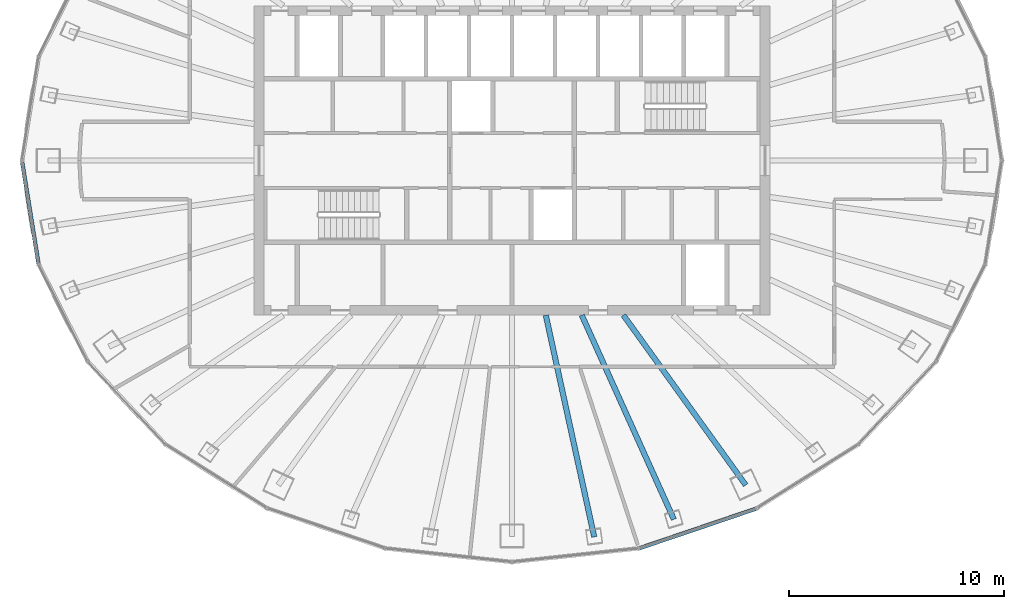
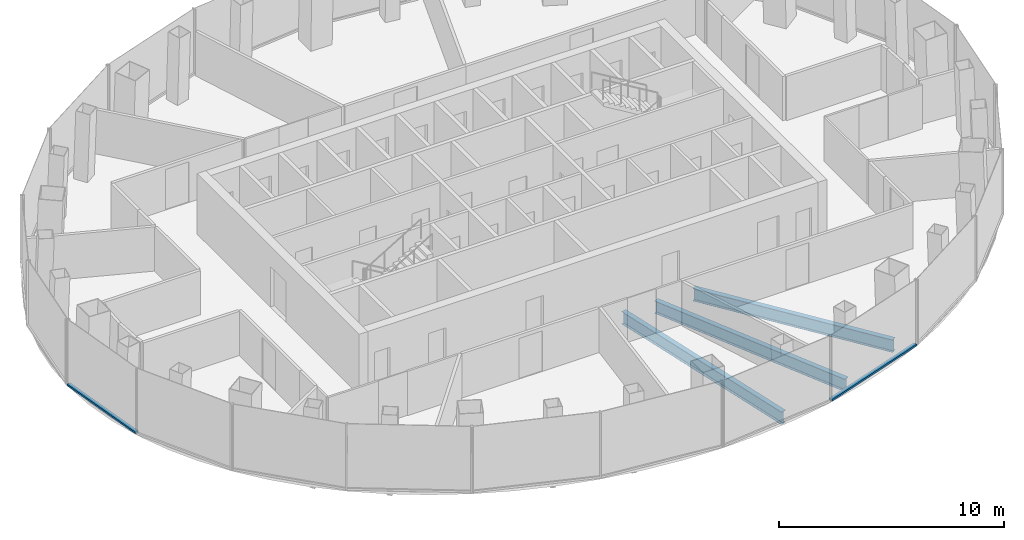
# One storey, part 3 of 11: 3 beams, 2 members, 2 elements without a shape of their own.
"""IFC4 building model written with IfcOpenShell, lengths in metres."""

from ifc_helpers import new_model, si_unit, direction, frame, origin, origin_2d, place, context, subcontext, project, spatial, rectangle, i_section, extrude, material, layer, layer_set, material_profile, profile_set, type_object, element, aggregate, save


model = new_model("IFC4")

# Units and contexts
model_context = context("Model", 3, precision=1e-05, world=origin(), true_north=direction((0.0, 1.0)))
body_context = subcontext(model_context, "Body", "Model", "MODEL_VIEW")
ifc_project = project(units=[si_unit("LENGTHUNIT", "METRE"), si_unit("AREAUNIT", "SQUARE_METRE"), si_unit("VOLUMEUNIT", "CUBIC_METRE"), si_unit("PLANEANGLEUNIT", "RADIAN"), si_unit("MASSUNIT", "GRAM", prefix="KILO")], contexts=[model_context])

# Site, building, storey
site_placement = place(None, origin())
site = spatial("IfcSite", under=ifc_project, at=site_placement, CompositionType="ELEMENT")
building_placement = place(site_placement, origin())
building = spatial("IfcBuilding", under=site, at=building_placement, Name="Siaravel Broadcast Tower", CompositionType="ELEMENT")
storey_placement = place(building_placement, frame((0.0, 0.0, 197.800048828125)))
storey = spatial("IfcBuildingStorey", under=building, at=storey_placement, Name="L48", CompositionType="ELEMENT", Elevation=197.800048828125)

# Beams
ifc_material_1 = material(Name="Steel S355", Category="steel")
ifc_material_profile_1 = material_profile(ifc_material_1, i_section(OverallWidth=0.2529296875, OverallDepth=0.677978515625, WebThickness=0.01171875, FlangeThickness=0.01611328125, FilletRadius=0.01513671875, at=origin_2d()))
ifc_profile_set_1 = profile_set([ifc_material_profile_1], Name="Steel S355")
beam_type = type_object("IfcBeamType", Name="BM-UB 686x254x125", PredefinedType="BEAM", material=ifc_profile_set_1)
beam_1_placement = place(storey_placement, frame((3.826904296875, -17.5166015625, -0.489013671875), z_axis=(-0.213438313, 0.976956543, 0.0), x_axis=(-0.976956543, -0.213438313, 0.0)))
element("IfcBeam", 1, at=beam_1_placement, inside=storey, type_object=beam_type, Name="Radial beam RB29", PredefinedType="BEAM", context=body_context, shape_type="SweptSolid", body=[
    extrude(i_section(OverallWidth=0.2529296875, OverallDepth=0.677978515625, WebThickness=0.01171875, FlangeThickness=0.01611328125, FilletRadius=0.01513671875, at=origin_2d()), origin(), (0.0, 0.0, 1.0), 10.56005859375),
])
beam_2_placement = place(storey_placement, frame((7.533935546875, -16.702880859375, -0.489013671875), z_axis=(-0.411166898, 0.911560081, 0.0), x_axis=(-0.911560081, -0.411166898, 0.0)))
element("IfcBeam", 2, at=beam_2_placement, inside=storey, type_object=beam_type, Name="Radial beam RB30", PredefinedType="BEAM", context=body_context, shape_type="SweptSolid", body=[
    extrude(i_section(OverallWidth=0.2529296875, OverallDepth=0.677978515625, WebThickness=0.01171875, FlangeThickness=0.01611328125, FilletRadius=0.01513671875, at=origin_2d()), origin(), (0.0, 0.0, 1.0), 10.4248046875),
])
beam_3_placement = place(storey_placement, frame((10.8779296875, -15.105712890625, -0.489013671875), z_axis=(-0.58437008, 0.811487282, 0.0), x_axis=(-0.811487282, -0.58437008, 0.0)))
element("IfcBeam", 3, at=beam_3_placement, inside=storey, type_object=beam_type, Name="Radial beam RB31", PredefinedType="BEAM", context=body_context, shape_type="SweptSolid", body=[
    extrude(i_section(OverallWidth=0.2529296875, OverallDepth=0.677978515625, WebThickness=0.01171875, FlangeThickness=0.01611328125, FilletRadius=0.01513671875, at=origin_2d()), origin(), (0.0, 0.0, 1.0), 9.742431640625),
])

# Curtain wall, member
ifc_material_2 = material(Name="Aluminium 6063-T6", Category="aluminium")
ifc_layer = layer(ifc_material_2, 0.179931640625)
ifc_layer_set = layer_set([ifc_layer], Name="Aluminium 6063-T6")
curtain_wall_type = type_object("IfcCurtainWallType", Name="Unitised curtain wall, zone 3", PredefinedType="NOTDEFINED", material=ifc_layer_set)
curtain_wall_1_placement = place(storey_placement, origin())
curtain_wall_1 = element("IfcCurtainWall", 4, at=curtain_wall_1_placement, inside=storey, type_object=curtain_wall_type, Name="L48 Unitised curtain wall, zone 3 07", PredefinedType="NOTDEFINED")
ifc_material_profile_2 = material_profile(ifc_material_2, rectangle(XDim=0.179931640625, YDim=0.10009765625, at=origin_2d()))
ifc_profile_set_2 = profile_set([ifc_material_profile_2], Name="Aluminium 6063-T6")
member_type = type_object("IfcMemberType", Name="CW-Z3 transom", PredefinedType="USERDEFINED", material=ifc_profile_set_2)
member_1_placement = place(storey_placement, frame((-22.80078125, -0.05908203125, 0.050048828125), z_axis=(0.158671031, -0.987331507, 0.0), x_axis=(0.987331507, 0.158671031, 0.0)))
member_1 = element("IfcMember", 5, at=member_1_placement, type_object=member_type, Name="CW-Z3 transom 1", ObjectType="TRANSOM", PredefinedType="USERDEFINED", context=body_context, shape_type="SweptSolid", body=[
    extrude(rectangle(XDim=0.179931640625, YDim=0.10009765625, at=origin_2d()), origin(), (0.0, 0.0, 1.0), 4.81298828125),
])
aggregate(curtain_wall_1, [member_1])

curtain_wall_2_placement = place(storey_placement, origin())
curtain_wall_2 = element("IfcCurtainWall", 6, at=curtain_wall_2_placement, inside=storey, type_object=curtain_wall_type, Name="L48 Unitised curtain wall, zone 3 10", PredefinedType="NOTDEFINED")
member_2_placement = place(storey_placement, frame((5.929931640625, -18.047119140625, 0.050048828125), z_axis=(0.946978932, 0.321295661, 0.0), x_axis=(-0.321295661, 0.946978932, 0.0)))
member_2 = element("IfcMember", 7, at=member_2_placement, type_object=member_type, Name="CW-Z3 transom 2", ObjectType="TRANSOM", PredefinedType="USERDEFINED", context=body_context, shape_type="SweptSolid", body=[
    extrude(rectangle(XDim=0.179931640625, YDim=0.10009765625, at=origin_2d()), origin(), (0.0, 0.0, 1.0), 5.718017578125),
])
aggregate(curtain_wall_2, [member_2])

save(model, "model.ifc")
